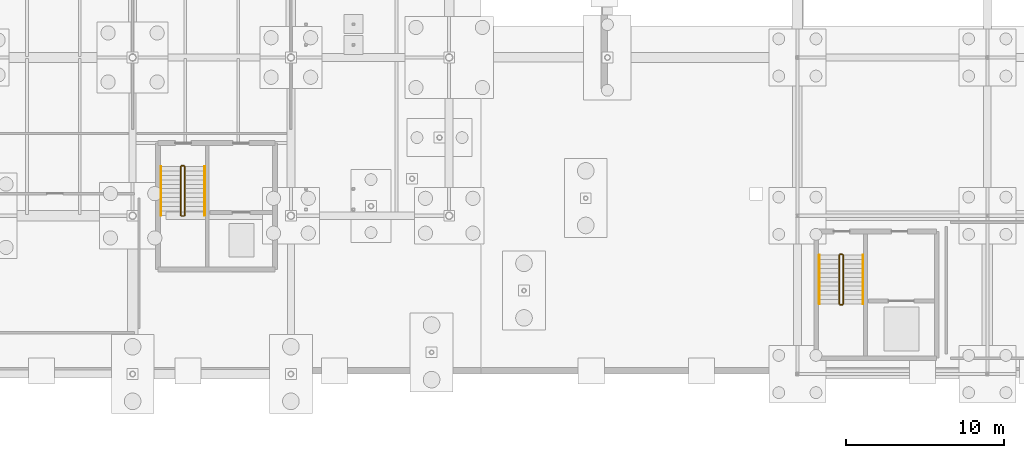
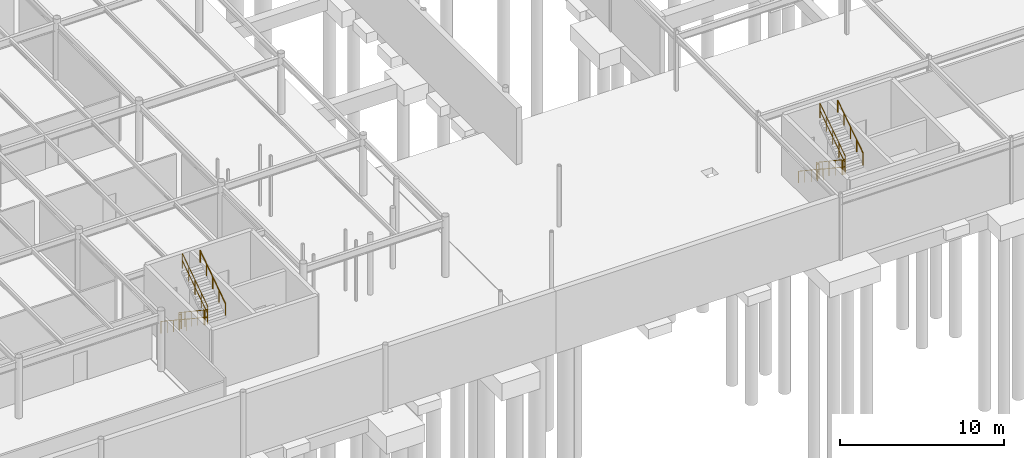
# One storey, part 72 of 75: 12 railings.
"""IFC4 building model written with IfcOpenShell, lengths in metres."""

from ifc_helpers import new_model, si_unit, derived_unit, direction, frame, origin, origin_2d_with_axis, place, context, subcontext, project, spatial, circle, extrude, material, layer, layer_set, type_object, element, save


model = new_model("IFC4")

# Units and contexts
model_context = context("Model", 3, precision=1e-05, world=origin(), true_north=direction((0.0, 1.0)))
body_context = subcontext(model_context, "Body", "Model", "MODEL_VIEW")
ifc_project = project(units=[si_unit("LENGTHUNIT", "METRE"), si_unit("AREAUNIT", "SQUARE_METRE"), si_unit("VOLUMEUNIT", "CUBIC_METRE"), si_unit("PLANEANGLEUNIT", "RADIAN"), si_unit("MASSUNIT", "GRAM", prefix="KILO"), derived_unit("THERMALTRANSMITTANCEUNIT", [(si_unit("POWERUNIT", "WATT"), 1), (si_unit("LENGTHUNIT", "METRE"), -2), (si_unit("THERMODYNAMICTEMPERATUREUNIT", "KELVIN"), -1)])], contexts=[model_context])

# Site, building, storey
site_placement = place(None, origin())
site = spatial("IfcSite", under=ifc_project, at=site_placement, CompositionType="ELEMENT")
building_placement = place(site_placement, origin())
building = spatial("IfcBuilding", under=site, at=building_placement, Name="Cinnabar Yard Market Hall", CompositionType="ELEMENT")
storey_placement = place(building_placement, frame((0.0, 0.0, -4.5)))
storey = spatial("IfcBuildingStorey", under=building, at=storey_placement, Name="B1", CompositionType="ELEMENT", Elevation=-4.5)

# Railings
ifc_material_1 = material(Name="Galvanised steel Grade 300 (300 MPa) guardrail", Category="steel")
ifc_layer_1 = layer(ifc_material_1, 0.06005859375)
ifc_layer_set_1 = layer_set([ifc_layer_1], Name="Galvanised steel Grade 300 (300 MPa) guardrail")
railing_type_1 = type_object("IfcRailingType", Name="RL-G03", PredefinedType="GUARDRAIL", material=ifc_layer_set_1)
railing_1_placement = place(storey_placement, frame((139.0400390625, 27.110107421875, 0.1875)))
element("IfcRailing", 1, at=railing_1_placement, inside=storey, type_object=railing_type_1, Name="B1 ST-C2 stair guard 1", PredefinedType="GUARDRAIL", context=body_context, shape_type="SweptSolid", body=[
    extrude(circle(Radius=0.02392578125, at=origin_2d_with_axis()), frame((0.0, 0.0, 1.09619140625), z_axis=(0.0, -0.830913701846, 0.55640131208), x_axis=(1.0, 0.0, 0.0)), (0.0, 0.0, 1.0), 3.706787109375),
    extrude(circle(Radius=0.02392578125, at=origin_2d_with_axis()), frame((0.0, 0.0, 0.550048828125), z_axis=(0.0, -0.830913701846, 0.55640131208), x_axis=(1.0, 0.0, 0.0)), (0.0, 0.0, 1.0), 3.706787109375),
    extrude(circle(Radius=0.02099609375, at=origin_2d_with_axis()), origin(), (0.0, 0.0, 1.0), 1.072021484375),
    extrude(circle(Radius=0.02099609375, at=origin_2d_with_axis()), frame((0.0, -0.77001953125, 0.515625)), (0.0, 0.0, 1.0), 1.072021484375),
    extrude(circle(Radius=0.02099609375, at=origin_2d_with_axis()), frame((0.0, -1.5400390625, 1.03125)), (0.0, 0.0, 1.0), 1.072021484375),
    extrude(circle(Radius=0.02099609375, at=origin_2d_with_axis()), frame((0.0, -2.31005859375, 1.546875)), (0.0, 0.0, 1.0), 1.072021484375),
    extrude(circle(Radius=0.02099609375, at=origin_2d_with_axis()), frame((0.0, -3.080078125, 2.0625)), (0.0, 0.0, 1.0), 1.072021484375),
])
railing_2_placement = place(storey_placement, frame((139.090087890625, 23.97998046875, 2.25)))
element("IfcRailing", 2, at=railing_2_placement, inside=storey, type_object=railing_type_1, Name="B1 ST-C2 stair guard 2", PredefinedType="GUARDRAIL", context=body_context, shape_type="SweptSolid", body=[
    extrude(circle(Radius=0.02392578125, at=origin_2d_with_axis()), frame((0.0, 0.0, 1.09619140625), z_axis=(1.0, 0.0, 0.0), x_axis=(0.0, 1.0, 0.0)), (0.0, 0.0, 1.0), 0.159912109375),
    extrude(circle(Radius=0.02392578125, at=origin_2d_with_axis()), frame((0.0, 0.0, 0.550048828125), z_axis=(1.0, 0.0, 0.0), x_axis=(0.0, 1.0, 0.0)), (0.0, 0.0, 1.0), 0.159912109375),
    extrude(circle(Radius=0.02099609375, at=origin_2d_with_axis()), origin(), (0.0, 0.0, 1.0), 1.072021484375),
    extrude(circle(Radius=0.02099609375, at=origin_2d_with_axis()), frame((0.159912109375, 0.0, 0.0)), (0.0, 0.0, 1.0), 1.072021484375),
])
railing_3_placement = place(storey_placement, frame((139.300048828125, 24.030029296875, 2.4375)))
element("IfcRailing", 3, at=railing_3_placement, inside=storey, type_object=railing_type_1, Name="B1 ST-C2 stair guard 3", PredefinedType="GUARDRAIL", context=body_context, shape_type="SweptSolid", body=[
    extrude(circle(Radius=0.02392578125, at=origin_2d_with_axis()), frame((0.0, 0.0, 1.09619140625), z_axis=(0.0, 0.830913701846, 0.55640131208), x_axis=(-1.0, 0.0, 0.0)), (0.0, 0.0, 1.0), 3.706787109375),
    extrude(circle(Radius=0.02392578125, at=origin_2d_with_axis()), frame((0.0, 0.0, 0.550048828125), z_axis=(0.0, 0.830913701846, 0.55640131208), x_axis=(-1.0, 0.0, 0.0)), (0.0, 0.0, 1.0), 3.706787109375),
    extrude(circle(Radius=0.02099609375, at=origin_2d_with_axis()), origin(), (0.0, 0.0, 1.0), 1.072021484375),
    extrude(circle(Radius=0.02099609375, at=origin_2d_with_axis()), frame((0.0, 0.77001953125, 0.515625)), (0.0, 0.0, 1.0), 1.072021484375),
    extrude(circle(Radius=0.02099609375, at=origin_2d_with_axis()), frame((0.0, 1.5400390625, 1.03125)), (0.0, 0.0, 1.0), 1.072021484375),
    extrude(circle(Radius=0.02099609375, at=origin_2d_with_axis()), frame((0.0, 2.31005859375, 1.546875)), (0.0, 0.0, 1.0), 1.072021484375),
    extrude(circle(Radius=0.02099609375, at=origin_2d_with_axis()), frame((0.0, 3.080078125, 2.0625)), (0.0, 0.0, 1.0), 1.072021484375),
])
railing_4_placement = place(storey_placement, frame((139.090087890625, 27.159912109375, 0.0)))
element("IfcRailing", 4, at=railing_4_placement, inside=storey, type_object=railing_type_1, Name="B1 ST-C2 stair guard 4", PredefinedType="GUARDRAIL", context=body_context, shape_type="SweptSolid", body=[
    extrude(circle(Radius=0.02392578125, at=origin_2d_with_axis()), frame((0.0, 0.0, 1.09619140625), z_axis=(1.0, 0.0, 0.0), x_axis=(0.0, 1.0, 0.0)), (0.0, 0.0, 1.0), 0.159912109375),
    extrude(circle(Radius=0.02392578125, at=origin_2d_with_axis()), frame((0.0, 0.0, 0.550048828125), z_axis=(1.0, 0.0, 0.0), x_axis=(0.0, 1.0, 0.0)), (0.0, 0.0, 1.0), 0.159912109375),
    extrude(circle(Radius=0.02099609375, at=origin_2d_with_axis()), origin(), (0.0, 0.0, 1.0), 1.072021484375),
    extrude(circle(Radius=0.02099609375, at=origin_2d_with_axis()), frame((0.159912109375, 0.0, 0.0)), (0.0, 0.0, 1.0), 1.072021484375),
])
railing_5_placement = place(storey_placement, frame((180.639892578125, 21.510009765625, 0.1875)))
element("IfcRailing", 5, at=railing_5_placement, inside=storey, type_object=railing_type_1, Name="B1 ST-C8 stair guard 1", PredefinedType="GUARDRAIL", context=body_context, shape_type="SweptSolid", body=[
    extrude(circle(Radius=0.02392578125, at=origin_2d_with_axis()), frame((0.0, 0.0, 1.09619140625), z_axis=(0.0, -0.830913701846, 0.55640131208), x_axis=(1.0, 0.0, 0.0)), (0.0, 0.0, 1.0), 3.706787109375),
    extrude(circle(Radius=0.02392578125, at=origin_2d_with_axis()), frame((0.0, 0.0, 0.550048828125), z_axis=(0.0, -0.830913701846, 0.55640131208), x_axis=(1.0, 0.0, 0.0)), (0.0, 0.0, 1.0), 3.706787109375),
    extrude(circle(Radius=0.02099609375, at=origin_2d_with_axis()), origin(), (0.0, 0.0, 1.0), 1.072021484375),
    extrude(circle(Radius=0.02099609375, at=origin_2d_with_axis()), frame((0.0, -0.77001953125, 0.515625)), (0.0, 0.0, 1.0), 1.072021484375),
    extrude(circle(Radius=0.02099609375, at=origin_2d_with_axis()), frame((0.0, -1.5400390625, 1.03125)), (0.0, 0.0, 1.0), 1.072021484375),
    extrude(circle(Radius=0.02099609375, at=origin_2d_with_axis()), frame((0.0, -2.31005859375, 1.546875)), (0.0, 0.0, 1.0), 1.072021484375),
    extrude(circle(Radius=0.02099609375, at=origin_2d_with_axis()), frame((0.0, -3.080078125, 2.0625)), (0.0, 0.0, 1.0), 1.072021484375),
])
railing_6_placement = place(storey_placement, frame((180.68994140625, 18.3798828125, 2.25)))
element("IfcRailing", 6, at=railing_6_placement, inside=storey, type_object=railing_type_1, Name="B1 ST-C8 stair guard 2", PredefinedType="GUARDRAIL", context=body_context, shape_type="SweptSolid", body=[
    extrude(circle(Radius=0.02392578125, at=origin_2d_with_axis()), frame((0.0, 0.0, 1.09619140625), z_axis=(1.0, 0.0, 0.0), x_axis=(0.0, 1.0, 0.0)), (0.0, 0.0, 1.0), 0.16015625),
    extrude(circle(Radius=0.02392578125, at=origin_2d_with_axis()), frame((0.0, 0.0, 0.550048828125), z_axis=(1.0, 0.0, 0.0), x_axis=(0.0, 1.0, 0.0)), (0.0, 0.0, 1.0), 0.16015625),
    extrude(circle(Radius=0.02099609375, at=origin_2d_with_axis()), origin(), (0.0, 0.0, 1.0), 1.072021484375),
    extrude(circle(Radius=0.02099609375, at=origin_2d_with_axis()), frame((0.16015625, 0.0, 0.0)), (0.0, 0.0, 1.0), 1.072021484375),
])
railing_7_placement = place(storey_placement, frame((180.89990234375, 18.429931640625, 2.4375)))
element("IfcRailing", 7, at=railing_7_placement, inside=storey, type_object=railing_type_1, Name="B1 ST-C8 stair guard 3", PredefinedType="GUARDRAIL", context=body_context, shape_type="SweptSolid", body=[
    extrude(circle(Radius=0.02392578125, at=origin_2d_with_axis()), frame((0.0, 0.0, 1.09619140625), z_axis=(0.0, 0.830913701846, 0.55640131208), x_axis=(-1.0, 0.0, 0.0)), (0.0, 0.0, 1.0), 3.706787109375),
    extrude(circle(Radius=0.02392578125, at=origin_2d_with_axis()), frame((0.0, 0.0, 0.550048828125), z_axis=(0.0, 0.830913701846, 0.55640131208), x_axis=(-1.0, 0.0, 0.0)), (0.0, 0.0, 1.0), 3.706787109375),
    extrude(circle(Radius=0.02099609375, at=origin_2d_with_axis()), origin(), (0.0, 0.0, 1.0), 1.072021484375),
    extrude(circle(Radius=0.02099609375, at=origin_2d_with_axis()), frame((0.0, 0.77001953125, 0.515625)), (0.0, 0.0, 1.0), 1.072021484375),
    extrude(circle(Radius=0.02099609375, at=origin_2d_with_axis()), frame((0.0, 1.5400390625, 1.03125)), (0.0, 0.0, 1.0), 1.072021484375),
    extrude(circle(Radius=0.02099609375, at=origin_2d_with_axis()), frame((0.0, 2.31005859375, 1.546875)), (0.0, 0.0, 1.0), 1.072021484375),
    extrude(circle(Radius=0.02099609375, at=origin_2d_with_axis()), frame((0.0, 3.080078125, 2.0625)), (0.0, 0.0, 1.0), 1.072021484375),
])
railing_8_placement = place(storey_placement, frame((180.68994140625, 21.56005859375, 0.0)))
element("IfcRailing", 8, at=railing_8_placement, inside=storey, type_object=railing_type_1, Name="B1 ST-C8 stair guard 4", PredefinedType="GUARDRAIL", context=body_context, shape_type="SweptSolid", body=[
    extrude(circle(Radius=0.02392578125, at=origin_2d_with_axis()), frame((0.0, 0.0, 1.09619140625), z_axis=(1.0, 0.0, 0.0), x_axis=(0.0, 1.0, 0.0)), (0.0, 0.0, 1.0), 0.16015625),
    extrude(circle(Radius=0.02392578125, at=origin_2d_with_axis()), frame((0.0, 0.0, 0.550048828125), z_axis=(1.0, 0.0, 0.0), x_axis=(0.0, 1.0, 0.0)), (0.0, 0.0, 1.0), 0.16015625),
    extrude(circle(Radius=0.02099609375, at=origin_2d_with_axis()), origin(), (0.0, 0.0, 1.0), 1.072021484375),
    extrude(circle(Radius=0.02099609375, at=origin_2d_with_axis()), frame((0.16015625, 0.0, 0.0)), (0.0, 0.0, 1.0), 1.072021484375),
])
ifc_material_2 = material(Name="Brushed stainless steel handrail", Category="steel")
ifc_layer_2 = layer(ifc_material_2, 0.050048828125)
ifc_layer_set_2 = layer_set([ifc_layer_2], Name="Brushed stainless steel handrail")
railing_type_2 = type_object("IfcRailingType", Name="RL-HR1", PredefinedType="HANDRAIL", material=ifc_layer_set_2)
railing_9_placement = place(storey_placement, frame((137.7900390625, 27.110107421875, 0.1875)))
element("IfcRailing", 9, at=railing_9_placement, inside=storey, type_object=railing_type_2, Name="B1 ST-C2 stair handrail 1", PredefinedType="HANDRAIL", context=body_context, shape_type="SweptSolid", body=[
    extrude(circle(Radius=0.02392578125, at=origin_2d_with_axis()), frame((0.0, 0.0, 0.8759765625), z_axis=(0.0, -0.830913701846, 0.55640131208), x_axis=(1.0, 0.0, 0.0)), (0.0, 0.0, 1.0), 3.706787109375),
    extrude(circle(Radius=0.02099609375, at=origin_2d_with_axis()), origin(), (0.0, 0.0, 1.0), 0.851806640625),
    extrude(circle(Radius=0.02099609375, at=origin_2d_with_axis()), frame((0.0, -0.77001953125, 0.515625)), (0.0, 0.0, 1.0), 0.851806640625),
    extrude(circle(Radius=0.02099609375, at=origin_2d_with_axis()), frame((0.0, -1.5400390625, 1.03125)), (0.0, 0.0, 1.0), 0.851806640625),
    extrude(circle(Radius=0.02099609375, at=origin_2d_with_axis()), frame((0.0, -2.31005859375, 1.546875)), (0.0, 0.0, 1.0), 0.851806640625),
    extrude(circle(Radius=0.02099609375, at=origin_2d_with_axis()), frame((0.0, -3.080078125, 2.0625)), (0.0, 0.0, 1.0), 0.851806640625),
])
railing_10_placement = place(storey_placement, frame((140.550048828125, 24.030029296875, 2.4375)))
element("IfcRailing", 10, at=railing_10_placement, inside=storey, type_object=railing_type_2, Name="B1 ST-C2 stair handrail 2", PredefinedType="HANDRAIL", context=body_context, shape_type="SweptSolid", body=[
    extrude(circle(Radius=0.02392578125, at=origin_2d_with_axis()), frame((0.0, 0.0, 0.8759765625), z_axis=(0.0, 0.830913701846, 0.55640131208), x_axis=(-1.0, 0.0, 0.0)), (0.0, 0.0, 1.0), 3.706787109375),
    extrude(circle(Radius=0.02099609375, at=origin_2d_with_axis()), origin(), (0.0, 0.0, 1.0), 0.851806640625),
    extrude(circle(Radius=0.02099609375, at=origin_2d_with_axis()), frame((0.0, 0.77001953125, 0.515625)), (0.0, 0.0, 1.0), 0.851806640625),
    extrude(circle(Radius=0.02099609375, at=origin_2d_with_axis()), frame((0.0, 1.5400390625, 1.03125)), (0.0, 0.0, 1.0), 0.851806640625),
    extrude(circle(Radius=0.02099609375, at=origin_2d_with_axis()), frame((0.0, 2.31005859375, 1.546875)), (0.0, 0.0, 1.0), 0.851806640625),
    extrude(circle(Radius=0.02099609375, at=origin_2d_with_axis()), frame((0.0, 3.080078125, 2.0625)), (0.0, 0.0, 1.0), 0.851806640625),
])
railing_11_placement = place(storey_placement, frame((179.389892578125, 21.510009765625, 0.1875)))
element("IfcRailing", 11, at=railing_11_placement, inside=storey, type_object=railing_type_2, Name="B1 ST-C8 stair handrail 1", PredefinedType="HANDRAIL", context=body_context, shape_type="SweptSolid", body=[
    extrude(circle(Radius=0.02392578125, at=origin_2d_with_axis()), frame((0.0, 0.0, 0.8759765625), z_axis=(0.0, -0.830913701846, 0.55640131208), x_axis=(1.0, 0.0, 0.0)), (0.0, 0.0, 1.0), 3.706787109375),
    extrude(circle(Radius=0.02099609375, at=origin_2d_with_axis()), origin(), (0.0, 0.0, 1.0), 0.851806640625),
    extrude(circle(Radius=0.02099609375, at=origin_2d_with_axis()), frame((0.0, -0.77001953125, 0.515625)), (0.0, 0.0, 1.0), 0.851806640625),
    extrude(circle(Radius=0.02099609375, at=origin_2d_with_axis()), frame((0.0, -1.5400390625, 1.03125)), (0.0, 0.0, 1.0), 0.851806640625),
    extrude(circle(Radius=0.02099609375, at=origin_2d_with_axis()), frame((0.0, -2.31005859375, 1.546875)), (0.0, 0.0, 1.0), 0.851806640625),
    extrude(circle(Radius=0.02099609375, at=origin_2d_with_axis()), frame((0.0, -3.080078125, 2.0625)), (0.0, 0.0, 1.0), 0.851806640625),
])
railing_12_placement = place(storey_placement, frame((182.14990234375, 18.429931640625, 2.4375)))
element("IfcRailing", 12, at=railing_12_placement, inside=storey, type_object=railing_type_2, Name="B1 ST-C8 stair handrail 2", PredefinedType="HANDRAIL", context=body_context, shape_type="SweptSolid", body=[
    extrude(circle(Radius=0.02392578125, at=origin_2d_with_axis()), frame((0.0, 0.0, 0.8759765625), z_axis=(0.0, 0.830913701846, 0.55640131208), x_axis=(-1.0, 0.0, 0.0)), (0.0, 0.0, 1.0), 3.706787109375),
    extrude(circle(Radius=0.02099609375, at=origin_2d_with_axis()), origin(), (0.0, 0.0, 1.0), 0.851806640625),
    extrude(circle(Radius=0.02099609375, at=origin_2d_with_axis()), frame((0.0, 0.77001953125, 0.515625)), (0.0, 0.0, 1.0), 0.851806640625),
    extrude(circle(Radius=0.02099609375, at=origin_2d_with_axis()), frame((0.0, 1.5400390625, 1.03125)), (0.0, 0.0, 1.0), 0.851806640625),
    extrude(circle(Radius=0.02099609375, at=origin_2d_with_axis()), frame((0.0, 2.31005859375, 1.546875)), (0.0, 0.0, 1.0), 0.851806640625),
    extrude(circle(Radius=0.02099609375, at=origin_2d_with_axis()), frame((0.0, 3.080078125, 2.0625)), (0.0, 0.0, 1.0), 0.851806640625),
])

save(model, "model.ifc")
